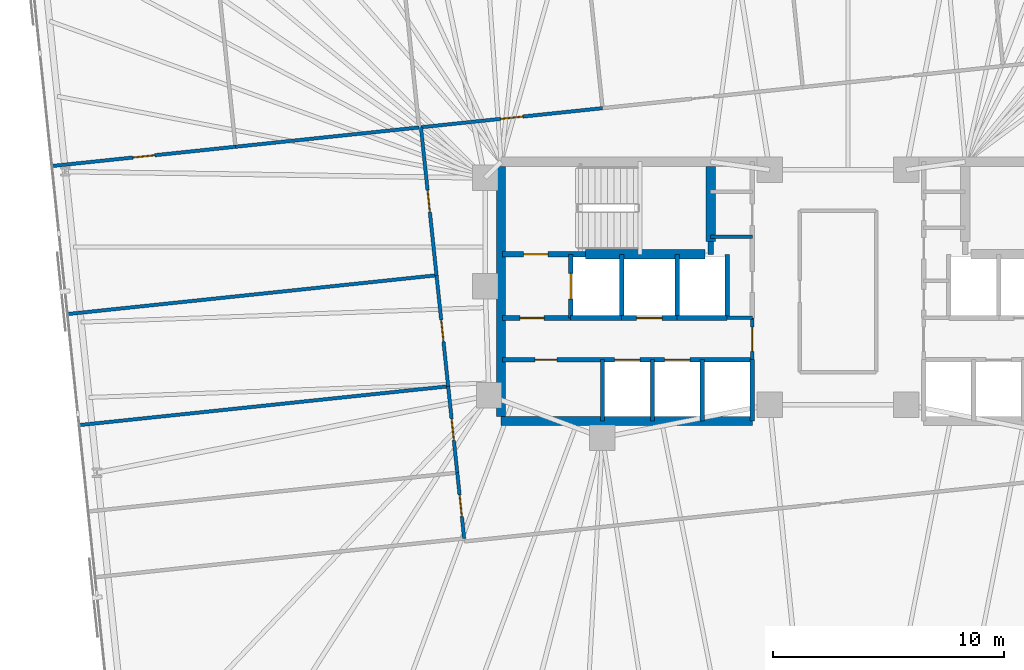
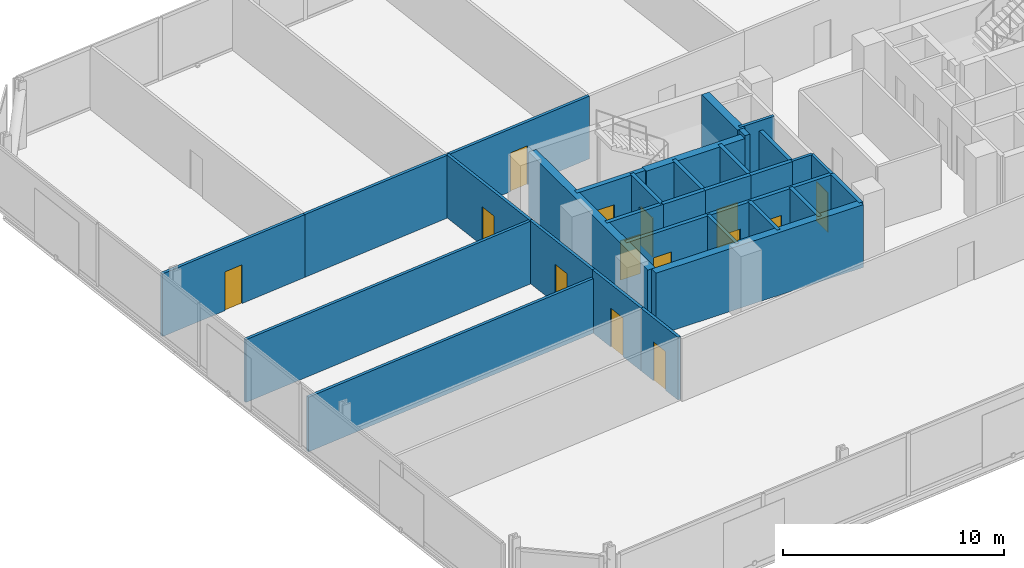
# One storey, part 14 of 18: 31 walls, 14 doors, 14 openings.
"""IFC4 building model written with IfcOpenShell, lengths in metres."""

from ifc_helpers import new_model, si_unit, direction, frame, frame_2d, origin, place, context, subcontext, project, spatial, rectangle, extrude, material, layer, layer_set, type_object, element, fill, save


model = new_model("IFC4")

# Units and contexts
model_context = context("Model", 3, precision=1e-05, world=origin(), true_north=direction((0.0, 1.0)))
body_context = subcontext(model_context, "Body", "Model", "MODEL_VIEW")
ifc_project = project(units=[si_unit("LENGTHUNIT", "METRE"), si_unit("AREAUNIT", "SQUARE_METRE"), si_unit("VOLUMEUNIT", "CUBIC_METRE"), si_unit("PLANEANGLEUNIT", "RADIAN"), si_unit("MASSUNIT", "GRAM", prefix="KILO")], contexts=[model_context])

# Site, building, storey
site_placement = place(None, origin())
site = spatial("IfcSite", under=ifc_project, at=site_placement, CompositionType="ELEMENT")
building_placement = place(site_placement, origin())
building = spatial("IfcBuilding", under=site, at=building_placement, Name="Menara Jurai Vektor", CompositionType="ELEMENT")
storey_placement = place(building_placement, frame((0.0, 0.0, 128.10009765625)))
storey = spatial("IfcBuildingStorey", under=building, at=storey_placement, Name="L32", CompositionType="ELEMENT", Elevation=128.10009765625)

# Wall, opening, door
ifc_material_1 = material(Name="Concrete C40/50", Category="concrete")
ifc_layer_1 = layer(ifc_material_1, 0.25)
ifc_layer_set_1 = layer_set([ifc_layer_1], Name="Concrete C40/50")
wall_type_1 = type_object("IfcWallType", Name="INT-WALL-CORE-250", PredefinedType="STANDARD", material=ifc_layer_set_1)
wall_1_placement = place(storey_placement, frame((-14.5, 1.60009765625, 0.0), z_axis=(0.0, 0.0, 1.0), x_axis=(1.0, 0.0, 0.0)))
wall_1 = element("IfcWall", 1, at=wall_1_placement, inside=storey, type_object=wall_type_1, Name="Interior Wall IW-250 L32", PredefinedType="STANDARD", context=body_context, shape_type="SweptSolid", body=[
    extrude(rectangle(XDim=3.60009765625, YDim=0.25, at=frame_2d((1.800048828125, 0.0))), origin(), (0.0, 0.0, 1.0), 3.474853515625),
])
opening_1_placement = place(wall_1_placement, frame((0.919921875, 0.0, 0.0)))
opening_1 = element("IfcOpeningElement", 2, at=opening_1_placement, cuts=wall_1, Name="Opening D-L32-ST1", PredefinedType="OPENING", context=body_context, shape_type="SweptSolid", body=[
    extrude(rectangle(XDim=1.050048828125, YDim=2.14990234375, at=frame_2d((0.52490234375, 1.074951171875))), frame((0.0, 0.135009765625, 0.0), z_axis=(0.0, -1.0, 0.0), x_axis=(1.0, 0.0, 0.0)), (0.0, 0.0, 1.0), 0.27001953125),
])
ifc_material_2 = material(Name="Fire-Rated Steel Door", Category="steel")
door_type_1 = type_object("IfcDoorType", Name="DR-STAIR-1050", OperationType="NOTDEFINED", PredefinedType="DOOR", material=ifc_material_2)
door_1_placement = place(opening_1_placement, origin())
door_1 = element("IfcDoor", 3, at=door_1_placement, inside=storey, type_object=door_type_1, Name="Exit Stair ST1 Door L32", OperationType="SINGLE_SWING_RIGHT", OverallHeight=2.14990234375, OverallWidth=1.050048828125, PredefinedType="DOOR", context=body_context, shape_type="SweptSolid", body=[
    extrude(rectangle(XDim=1.050048828125, YDim=2.14990234375, at=frame_2d((0.52490234375, 1.074951171875))), frame((0.0, 0.02490234375, 0.0), z_axis=(0.0, -1.0, 0.0), x_axis=(1.0, 0.0, 0.0)), (0.0, 0.0, 1.0), 0.050048828125),
])
fill(opening_1, door_1)

# Wall
wall_2_placement = place(storey_placement, frame((-5.5, 1.60009765625, 0.0), z_axis=(0.0, 0.0, 1.0), x_axis=(0.0, 1.0, 0.0)))
element("IfcWall", 4, at=wall_2_placement, inside=storey, type_object=wall_type_1, Name="Interior Wall IW-250 L32", PredefinedType="STANDARD", context=body_context, shape_type="SweptSolid", body=[
    extrude(rectangle(XDim=0.5498046875, YDim=0.25, at=frame_2d((0.27490234375, 0.0))), origin(), (0.0, 0.0, 1.0), 3.474853515625),
])

# Wall, opening, door
wall_3_placement = place(storey_placement, frame((-11.550048828125, -1.14990234375, 0.0), z_axis=(0.0, 0.0, 1.0), x_axis=(0.0, 1.0, 0.0)))
wall_3 = element("IfcWall", 5, at=wall_3_placement, inside=storey, type_object=wall_type_1, Name="Interior Wall IW-250 L32", PredefinedType="STANDARD", context=body_context, shape_type="SweptSolid", body=[
    extrude(rectangle(XDim=2.75, YDim=0.199951171875, at=frame_2d((1.375, 0.0))), origin(), (0.0, 0.0, 1.0), 3.474853515625),
])
opening_2_placement = place(wall_3_placement, frame((0.824951171875, 0.0, 0.0)))
opening_2 = element("IfcOpeningElement", 6, at=opening_2_placement, cuts=wall_3, Name="Opening LD-L32-FL1", PredefinedType="OPENING", context=body_context, shape_type="SweptSolid", body=[
    extrude(rectangle(XDim=1.10009765625, YDim=2.14990234375, at=frame_2d((0.550048828125, 1.074951171875))), frame((0.0, 0.10986328125, 0.0), z_axis=(0.0, -1.0, 0.0), x_axis=(1.0, 0.0, 0.0)), (0.0, 0.0, 1.0), 0.219970703125),
])
ifc_material_3 = material(Name="Stainless Steel Sliding Lift Landing Door", Category="steel")
door_type_2 = type_object("IfcDoorType", Name="DR-LIFT-FIRE-1100", OperationType="NOTDEFINED", PredefinedType="DOOR", material=ifc_material_3)
door_2_placement = place(opening_2_placement, origin())
door_2 = element("IfcDoor", 7, at=door_2_placement, inside=storey, type_object=door_type_2, Name="Lift Landing Door FL1 L32", OperationType="SLIDING_TO_RIGHT", OverallHeight=2.14990234375, OverallWidth=1.10009765625, PredefinedType="DOOR", context=body_context, shape_type="SweptSolid", body=[
    extrude(rectangle(XDim=1.10009765625, YDim=2.14990234375, at=frame_2d((0.550048828125, 1.074951171875))), frame((0.0, 0.02490234375, 0.0), z_axis=(0.0, -1.0, 0.0), x_axis=(1.0, 0.0, 0.0)), (0.0, 0.0, 1.0), 0.050048828125),
])
fill(opening_2, door_2)

# Wall
wall_4_placement = place(storey_placement, frame((-9.35009765625, -1.14990234375, 0.0), z_axis=(0.0, 0.0, 1.0), x_axis=(0.0, 1.0, 0.0)))
element("IfcWall", 8, at=wall_4_placement, inside=storey, type_object=wall_type_1, Name="Interior Wall IW-250 L32", PredefinedType="STANDARD", context=body_context, shape_type="SweptSolid", body=[
    extrude(rectangle(XDim=2.75, YDim=0.199951171875, at=frame_2d((1.375, 0.0))), origin(), (0.0, 0.0, 1.0), 3.474853515625),
])

# Wall, opening, door
wall_5_placement = place(storey_placement, frame((-14.5, -1.14990234375, 0.0), z_axis=(0.0, 0.0, 1.0), x_axis=(1.0, 0.0, 0.0)))
wall_5 = element("IfcWall", 9, at=wall_5_placement, inside=storey, type_object=wall_type_1, Name="Interior Wall IW-250 L32", PredefinedType="STANDARD", context=body_context, shape_type="SweptSolid", body=[
    extrude(rectangle(XDim=2.949951171875, YDim=0.199951171875, at=frame_2d((1.47509765625, 0.0))), origin(), (0.0, 0.0, 1.0), 3.474853515625),
])
opening_3_placement = place(wall_5_placement, frame((0.75, 0.0, 0.0)))
opening_3 = element("IfcOpeningElement", 10, at=opening_3_placement, cuts=wall_5, Name="Opening D-L32-FFW", PredefinedType="OPENING", context=body_context, shape_type="SweptSolid", body=[
    extrude(rectangle(XDim=1.050048828125, YDim=2.179931640625, at=frame_2d((0.52490234375, 1.08984375))), frame((0.0, 0.10986328125, 0.0), z_axis=(0.0, -1.0, 0.0), x_axis=(1.0, 0.0, 0.0)), (0.0, 0.0, 1.0), 0.219970703125),
])
ifc_material_4 = material(Name="Fire-Rated Timber Door", Category="wood")
door_type_3 = type_object("IfcDoorType", Name="DR-LOBBY-1050", OperationType="NOTDEFINED", PredefinedType="DOOR", material=ifc_material_4)
door_3_placement = place(opening_3_placement, origin())
door_3 = element("IfcDoor", 11, at=door_3_placement, inside=storey, type_object=door_type_3, Name="Fire Lift Lobby Door W L32", OperationType="SINGLE_SWING_RIGHT", OverallHeight=2.179931640625, OverallWidth=1.050048828125, PredefinedType="DOOR", context=body_context, shape_type="SweptSolid", body=[
    extrude(rectangle(XDim=1.050048828125, YDim=2.179931640625, at=frame_2d((0.52490234375, 1.08984375))), frame((0.0, 0.02490234375, 0.0), z_axis=(0.0, -1.0, 0.0), x_axis=(1.0, 0.0, 0.0)), (0.0, 0.0, 1.0), 0.050048828125),
])
fill(opening_3, door_3)

# Wall
wall_6_placement = place(storey_placement, frame((-11.550048828125, -1.14990234375, 0.0), z_axis=(0.0, 0.0, 1.0), x_axis=(1.0, 0.0, 0.0)))
element("IfcWall", 12, at=wall_6_placement, inside=storey, type_object=wall_type_1, Name="Interior Wall IW-250 L32", PredefinedType="STANDARD", context=body_context, shape_type="SweptSolid", body=[
    extrude(rectangle(XDim=2.199951171875, YDim=0.199951171875, at=frame_2d((1.10009765625, 0.0))), origin(), (0.0, 0.0, 1.0), 3.474853515625),
])

# Wall, opening, door
ifc_material_5 = material(Name="Gypsum Fireboard Partition", Category="gypsum")
ifc_layer_2 = layer(ifc_material_5, 0.14990234375)
ifc_layer_set_2 = layer_set([ifc_layer_2], Name="Gypsum Fireboard Partition")
wall_type_2 = type_object("IfcWallType", Name="INT-WALL-CORR-150", PredefinedType="PARTITIONING", material=ifc_layer_set_2)
wall_7_placement = place(storey_placement, frame((-3.699951171875, -2.949951171875, 0.0), z_axis=(0.0, 0.0, 1.0), x_axis=(0.0, 1.0, 0.0)))
wall_7 = element("IfcWall", 13, at=wall_7_placement, inside=storey, type_object=wall_type_2, Name="Interior Wall IW-150 L32", PredefinedType="PARTITIONING", context=body_context, shape_type="SweptSolid", body=[
    extrude(rectangle(XDim=1.800048828125, YDim=0.14990234375, at=frame_2d((0.89990234375, 0.0))), origin(), (0.0, 0.0, 1.0), 3.474853515625),
])
opening_4_placement = place(wall_7_placement, frame((0.35009765625, 0.0, 0.0)))
opening_4 = element("IfcOpeningElement", 14, at=opening_4_placement, cuts=wall_7, Name="Opening D-L32-LLW", PredefinedType="OPENING", context=body_context, shape_type="SweptSolid", body=[
    extrude(rectangle(XDim=1.050048828125, YDim=2.179931640625, at=frame_2d((0.52490234375, 1.08984375))), frame((0.0, 0.0849609375, 0.0), z_axis=(0.0, -1.0, 0.0), x_axis=(1.0, 0.0, 0.0)), (0.0, 0.0, 1.0), 0.169921875),
])
door_4_placement = place(opening_4_placement, origin())
door_4 = element("IfcDoor", 15, at=door_4_placement, inside=storey, type_object=door_type_3, Name="Lift Lobby Corridor Door W L32", OperationType="SINGLE_SWING_LEFT", OverallHeight=2.179931640625, OverallWidth=1.050048828125, PredefinedType="DOOR", context=body_context, shape_type="SweptSolid", body=[
    extrude(rectangle(XDim=1.050048828125, YDim=2.179931640625, at=frame_2d((0.52490234375, 1.08984375))), frame((0.0, 0.02490234375, 0.0), z_axis=(0.0, -1.0, 0.0), x_axis=(1.0, 0.0, 0.0)), (0.0, 0.0, 1.0), 0.050048828125),
])
fill(opening_4, door_4)

# Walls
wall_8_placement = place(storey_placement, frame((-4.7900390625, -1.14990234375, 0.0), z_axis=(0.0, 0.0, 1.0), x_axis=(1.0, 0.0, 0.0)))
element("IfcWall", 16, at=wall_8_placement, inside=storey, type_object=wall_type_2, Name="Interior Wall IW-150 L32", PredefinedType="PARTITIONING", context=body_context, shape_type="SweptSolid", body=[
    extrude(rectangle(XDim=1.090087890625, YDim=0.14990234375, at=frame_2d((0.544921875, 0.0))), origin(), (0.0, 0.0, 1.0), 3.474853515625),
])
wall_9_placement = place(storey_placement, frame((-5.5, 2.35009765625, 0.0), z_axis=(0.0, 0.0, 1.0), x_axis=(1.0, 0.0, 0.0)))
element("IfcWall", 17, at=wall_9_placement, inside=storey, type_object=wall_type_2, Name="Interior Wall IW-150 L32", PredefinedType="PARTITIONING", context=body_context, shape_type="SweptSolid", body=[
    extrude(rectangle(XDim=1.800048828125, YDim=0.14990234375, at=frame_2d((0.89990234375, 0.0))), origin(), (0.0, 0.0, 1.0), 3.474853515625),
])

# Wall, opening, door
wall_10_placement = place(storey_placement, frame((-18.021240234375, 7.09033203125, 0.0), z_axis=(0.0, 0.0, 1.0), x_axis=(0.994521544681, 0.104531799785, 0.0)))
wall_10 = element("IfcWall", 18, at=wall_10_placement, inside=storey, type_object=wall_type_2, Name="Interior Wall IW-150 L32", PredefinedType="PARTITIONING", context=body_context, shape_type="SweptSolid", body=[
    extrude(rectangle(XDim=7.891845703125, YDim=0.14990234375, at=frame_2d((3.94580078125, 0.0))), origin(), (0.0, 0.0, 1.0), 3.474853515625),
])
opening_5_placement = place(wall_10_placement, frame((3.470947265625, 0.0, 0.0)))
opening_5 = element("IfcOpeningElement", 19, at=opening_5_placement, cuts=wall_10, Name="Opening D32-09", PredefinedType="OPENING", context=body_context, shape_type="SweptSolid", body=[
    extrude(rectangle(XDim=0.949951171875, YDim=2.14990234375, at=frame_2d((0.47509765625, 1.074951171875))), frame((0.0, 0.0849609375, 0.0), z_axis=(0.0, -1.0, 0.0), x_axis=(1.0, 0.0, 0.0)), (0.0, 0.0, 1.0), 0.169921875),
])
ifc_material_6 = material(Name="Solid Core Timber Fire Door", Category="wood")
door_type_4 = type_object("IfcDoorType", Name="DR-ENTRY-950", OperationType="NOTDEFINED", PredefinedType="DOOR", material=ifc_material_6)
door_5_placement = place(opening_5_placement, origin())
door_5 = element("IfcDoor", 20, at=door_5_placement, inside=storey, type_object=door_type_4, Name="Interior Door D32-09", OperationType="SINGLE_SWING_RIGHT", OverallHeight=2.14990234375, OverallWidth=0.949951171875, PredefinedType="DOOR", context=body_context, shape_type="SweptSolid", body=[
    extrude(rectangle(XDim=0.949951171875, YDim=2.14990234375, at=frame_2d((0.47509765625, 1.074951171875))), frame((0.0, 0.02490234375, 0.0), z_axis=(0.0, -1.0, 0.0), x_axis=(1.0, 0.0, 0.0)), (0.0, 0.0, 1.0), 0.050048828125),
])
fill(opening_5, door_5)

wall_11_placement = place(storey_placement, frame((-16.1533203125, -10.681884765625, 0.0), z_axis=(0.0, 0.0, 1.0), x_axis=(-0.104600331874, 0.994514339048, 0.0)))
wall_11 = element("IfcWall", 21, at=wall_11_placement, inside=storey, type_object=wall_type_2, Name="Interior Wall IW-150 L32", PredefinedType="PARTITIONING", context=body_context, shape_type="SweptSolid", body=[
    extrude(rectangle(XDim=2.859130859375, YDim=0.14990234375, at=frame_2d((1.4296875, 0.0))), origin(), (0.0, 0.0, 1.0), 3.474853515625),
])
opening_6_placement = place(wall_11_placement, frame((0.95458984375, 0.0, 0.0)))
opening_6 = element("IfcOpeningElement", 22, at=opening_6_placement, cuts=wall_11, Name="Opening D32-15", PredefinedType="OPENING", context=body_context, shape_type="SweptSolid", body=[
    extrude(rectangle(XDim=0.949951171875, YDim=2.14990234375, at=frame_2d((0.47509765625, 1.074951171875))), frame((0.0, 0.0849609375, 0.0), z_axis=(0.0, -1.0, 0.0), x_axis=(1.0, 0.0, 0.0)), (0.0, 0.0, 1.0), 0.169921875),
])
door_6_placement = place(opening_6_placement, origin())
door_6 = element("IfcDoor", 23, at=door_6_placement, inside=storey, type_object=door_type_4, Name="Interior Door D32-15", OperationType="SINGLE_SWING_RIGHT", OverallHeight=2.14990234375, OverallWidth=0.949951171875, PredefinedType="DOOR", context=body_context, shape_type="SweptSolid", body=[
    extrude(rectangle(XDim=0.949951171875, YDim=2.14990234375, at=frame_2d((0.47509765625, 1.074951171875))), frame((0.0, 0.02490234375, 0.0), z_axis=(0.0, -1.0, 0.0), x_axis=(1.0, 0.0, 0.0)), (0.0, 0.0, 1.0), 0.050048828125),
])
fill(opening_6, door_6)

wall_12_placement = place(storey_placement, frame((-16.452392578125, -7.83837890625, 0.0), z_axis=(0.0, 0.0, 1.0), x_axis=(-0.104481590513, 0.994526820777, 0.0)))
wall_12 = element("IfcWall", 24, at=wall_12_placement, inside=storey, type_object=wall_type_2, Name="Interior Wall IW-150 L32", PredefinedType="PARTITIONING", context=body_context, shape_type="SweptSolid", body=[
    extrude(rectangle(XDim=3.752685546875, YDim=0.14990234375, at=frame_2d((1.87646484375, 0.0))), origin(), (0.0, 0.0, 1.0), 3.474853515625),
])
opening_7_placement = place(wall_12_placement, frame((1.401611328125, 0.0, 0.0)))
opening_7 = element("IfcOpeningElement", 25, at=opening_7_placement, cuts=wall_12, Name="Opening D32-16", PredefinedType="OPENING", context=body_context, shape_type="SweptSolid", body=[
    extrude(rectangle(XDim=0.949951171875, YDim=2.14990234375, at=frame_2d((0.47509765625, 1.074951171875))), frame((0.0, 0.0849609375, 0.0), z_axis=(0.0, -1.0, 0.0), x_axis=(1.0, 0.0, 0.0)), (0.0, 0.0, 1.0), 0.169921875),
])
door_7_placement = place(opening_7_placement, origin())
door_7 = element("IfcDoor", 26, at=door_7_placement, inside=storey, type_object=door_type_4, Name="Interior Door D32-16", OperationType="SINGLE_SWING_LEFT", OverallHeight=2.14990234375, OverallWidth=0.949951171875, PredefinedType="DOOR", context=body_context, shape_type="SweptSolid", body=[
    extrude(rectangle(XDim=0.949951171875, YDim=2.14990234375, at=frame_2d((0.47509765625, 1.074951171875))), frame((0.0, 0.02490234375, 0.0), z_axis=(0.0, -1.0, 0.0), x_axis=(1.0, 0.0, 0.0)), (0.0, 0.0, 1.0), 0.050048828125),
])
fill(opening_7, door_7)

wall_13_placement = place(storey_placement, frame((-16.844482421875, -4.106201171875, 0.0), z_axis=(0.0, 0.0, 1.0), x_axis=(-0.104537284168, 0.994520968215, 0.0)))
wall_13 = element("IfcWall", 27, at=wall_13_placement, inside=storey, type_object=wall_type_2, Name="Interior Wall IW-150 L32", PredefinedType="PARTITIONING", context=body_context, shape_type="SweptSolid", body=[
    extrude(rectangle(XDim=4.824951171875, YDim=0.14990234375, at=frame_2d((2.41259765625, 0.0))), origin(), (0.0, 0.0, 1.0), 3.474853515625),
])
opening_8_placement = place(wall_13_placement, frame((1.9375, 0.0, 0.0)))
opening_8 = element("IfcOpeningElement", 28, at=opening_8_placement, cuts=wall_13, Name="Opening D32-17", PredefinedType="OPENING", context=body_context, shape_type="SweptSolid", body=[
    extrude(rectangle(XDim=0.949951171875, YDim=2.14990234375, at=frame_2d((0.47509765625, 1.074951171875))), frame((0.0, 0.0849609375, 0.0), z_axis=(0.0, -1.0, 0.0), x_axis=(1.0, 0.0, 0.0)), (0.0, 0.0, 1.0), 0.169921875),
])
door_8_placement = place(opening_8_placement, origin())
door_8 = element("IfcDoor", 29, at=door_8_placement, inside=storey, type_object=door_type_4, Name="Interior Door D32-17", OperationType="SINGLE_SWING_RIGHT", OverallHeight=2.14990234375, OverallWidth=0.949951171875, PredefinedType="DOOR", context=body_context, shape_type="SweptSolid", body=[
    extrude(rectangle(XDim=0.949951171875, YDim=2.14990234375, at=frame_2d((0.47509765625, 1.074951171875))), frame((0.0, 0.02490234375, 0.0), z_axis=(0.0, -1.0, 0.0), x_axis=(1.0, 0.0, 0.0)), (0.0, 0.0, 1.0), 0.050048828125),
])
fill(opening_8, door_8)

wall_14_placement = place(storey_placement, frame((-17.348876953125, 0.6923828125, 0.0), z_axis=(0.0, 0.0, 1.0), x_axis=(-0.104514890797, 0.994523321799, 0.0)))
wall_14 = element("IfcWall", 30, at=wall_14_placement, inside=storey, type_object=wall_type_2, Name="Interior Wall IW-150 L32", PredefinedType="PARTITIONING", context=body_context, shape_type="SweptSolid", body=[
    extrude(rectangle(XDim=6.43310546875, YDim=0.14990234375, at=frame_2d((3.216552734375, 0.0))), origin(), (0.0, 0.0, 1.0), 3.474853515625),
])
opening_9_placement = place(wall_14_placement, frame((2.741455078125, 0.0, 0.0)))
opening_9 = element("IfcOpeningElement", 31, at=opening_9_placement, cuts=wall_14, Name="Opening D32-18", PredefinedType="OPENING", context=body_context, shape_type="SweptSolid", body=[
    extrude(rectangle(XDim=0.949951171875, YDim=2.14990234375, at=frame_2d((0.47509765625, 1.074951171875))), frame((0.0, 0.0849609375, 0.0), z_axis=(0.0, -1.0, 0.0), x_axis=(1.0, 0.0, 0.0)), (0.0, 0.0, 1.0), 0.169921875),
])
door_9_placement = place(opening_9_placement, origin())
door_9 = element("IfcDoor", 32, at=door_9_placement, inside=storey, type_object=door_type_4, Name="Interior Door D32-18", OperationType="SINGLE_SWING_LEFT", OverallHeight=2.14990234375, OverallWidth=0.949951171875, PredefinedType="DOOR", context=body_context, shape_type="SweptSolid", body=[
    extrude(rectangle(XDim=0.949951171875, YDim=2.14990234375, at=frame_2d((0.47509765625, 1.074951171875))), frame((0.0, 0.02490234375, 0.0), z_axis=(0.0, -1.0, 0.0), x_axis=(1.0, 0.0, 0.0)), (0.0, 0.0, 1.0), 0.050048828125),
])
fill(opening_9, door_9)

wall_15_placement = place(storey_placement, frame((-33.966552734375, 5.414306640625, 0.0), z_axis=(0.0, 0.0, 1.0), x_axis=(0.994520371826, 0.104542957792, 0.0)))
wall_15 = element("IfcWall", 33, at=wall_15_placement, inside=storey, type_object=wall_type_2, Name="Interior Wall IW-150 L32", PredefinedType="PARTITIONING", context=body_context, shape_type="SweptSolid", body=[
    extrude(rectangle(XDim=7.97509765625, YDim=0.14990234375, at=frame_2d((3.987548828125, 0.0))), origin(), (0.0, 0.0, 1.0), 3.474853515625),
])
opening_10_placement = place(wall_15_placement, frame((3.512451171875, 0.0, 0.0)))
opening_10 = element("IfcOpeningElement", 34, at=opening_10_placement, cuts=wall_15, Name="Opening D32-21", PredefinedType="OPENING", context=body_context, shape_type="SweptSolid", body=[
    extrude(rectangle(XDim=0.949951171875, YDim=2.14990234375, at=frame_2d((0.47509765625, 1.074951171875))), frame((0.0, 0.0849609375, 0.0), z_axis=(0.0, -1.0, 0.0), x_axis=(1.0, 0.0, 0.0)), (0.0, 0.0, 1.0), 0.169921875),
])
door_10_placement = place(opening_10_placement, origin())
door_10 = element("IfcDoor", 35, at=door_10_placement, inside=storey, type_object=door_type_4, Name="Interior Door D32-21", OperationType="SINGLE_SWING_RIGHT", OverallHeight=2.14990234375, OverallWidth=0.949951171875, PredefinedType="DOOR", context=body_context, shape_type="SweptSolid", body=[
    extrude(rectangle(XDim=0.949951171875, YDim=2.14990234375, at=frame_2d((0.47509765625, 1.074951171875))), frame((0.0, 0.02490234375, 0.0), z_axis=(0.0, -1.0, 0.0), x_axis=(1.0, 0.0, 0.0)), (0.0, 0.0, 1.0), 0.050048828125),
])
fill(opening_10, door_10)

# Walls
wall_16_placement = place(storey_placement, frame((-26.03515625, 6.248046875, 0.0), z_axis=(0.0, 0.0, 1.0), x_axis=(0.994523219801, 0.104515861368, 0.0)))
element("IfcWall", 36, at=wall_16_placement, inside=storey, type_object=wall_type_2, Name="Interior Wall IW-150 L32", PredefinedType="PARTITIONING", context=body_context, shape_type="SweptSolid", body=[
    extrude(rectangle(XDim=7.974853515625, YDim=0.14990234375, at=frame_2d((3.9873046875, 0.0))), origin(), (0.0, 0.0, 1.0), 3.474853515625),
])
wall_17_placement = place(storey_placement, frame((-33.294189453125, -0.9833984375, 0.0), z_axis=(0.0, 0.0, 1.0), x_axis=(0.994522794159, 0.104519911488, 0.0)))
element("IfcWall", 37, at=wall_17_placement, inside=storey, type_object=wall_type_2, Name="Interior Wall IW-150 L32", PredefinedType="PARTITIONING", context=body_context, shape_type="SweptSolid", body=[
    extrude(rectangle(XDim=16.033203125, YDim=0.14990234375, at=frame_2d((8.0166015625, 0.0))), origin(), (0.0, 0.0, 1.0), 3.474853515625),
])
ifc_layer_3 = layer(ifc_material_5, 0.14990234375)
ifc_layer_set_3 = layer_set([ifc_layer_3], Name="Gypsum Fireboard Partition")
wall_type_3 = type_object("IfcWallType", Name="INT-WALL-CORR-150-H1", PredefinedType="PARTITIONING", material=ifc_layer_set_3)
wall_18_placement = place(storey_placement, frame((-32.789794921875, -5.781982421875, 0.0), z_axis=(0.0, 0.0, 1.0), x_axis=(0.994522794159, 0.104519911488, 0.0)))
element("IfcWall", 38, at=wall_18_placement, inside=storey, type_object=wall_type_3, Name="Interior Wall IW-150 L32", PredefinedType="PARTITIONING", context=body_context, shape_type="SweptSolid", body=[
    extrude(rectangle(XDim=16.033203125, YDim=0.14990234375, at=frame_2d((8.0166015625, 0.0))), origin(), (0.0, 0.0, 1.0), 3.02490234375),
])
ifc_layer_4 = layer(ifc_material_1, 0.199951171875)
ifc_layer_set_4 = layer_set([ifc_layer_4], Name="Concrete C40/50")
wall_type_4 = type_object("IfcWallType", Name="INT-WALL-SHAFT-200", PredefinedType="STANDARD", material=ifc_layer_set_4)
wall_19_placement = place(storey_placement, frame((-3.699951171875, -5.60009765625, 0.0), z_axis=(0.0, 0.0, 1.0), x_axis=(0.0, 1.0, 0.0)))
element("IfcWall", 39, at=wall_19_placement, inside=storey, type_object=wall_type_4, Name="Interior Wall IW-200 L32", PredefinedType="STANDARD", context=body_context, shape_type="SweptSolid", body=[
    extrude(rectangle(XDim=2.650146484375, YDim=0.199951171875, at=frame_2d((1.3251953125, 0.0))), origin(), (0.0, 0.0, 1.0), 3.474853515625),
])
wall_20_placement = place(storey_placement, frame((-6.949951171875, -1.14990234375, 0.0), z_axis=(0.0, 0.0, 1.0), x_axis=(0.0, 1.0, 0.0)))
element("IfcWall", 40, at=wall_20_placement, inside=storey, type_object=wall_type_4, Name="Interior Wall IW-200 L32", PredefinedType="STANDARD", context=body_context, shape_type="SweptSolid", body=[
    extrude(rectangle(XDim=2.75, YDim=0.199951171875, at=frame_2d((1.375, 0.0))), origin(), (0.0, 0.0, 1.0), 3.474853515625),
])

# Wall, opening, door
wall_21_placement = place(storey_placement, frame((-9.35009765625, -1.14990234375, 0.0), z_axis=(0.0, 0.0, 1.0), x_axis=(1.0, 0.0, 0.0)))
wall_21 = element("IfcWall", 41, at=wall_21_placement, inside=storey, type_object=wall_type_4, Name="Interior Wall IW-200 L32", PredefinedType="STANDARD", context=body_context, shape_type="SweptSolid", body=[
    extrude(rectangle(XDim=2.400146484375, YDim=0.199951171875, at=frame_2d((1.2001953125, 0.0))), origin(), (0.0, 0.0, 1.0), 3.474853515625),
])
opening_11_placement = place(wall_21_placement, frame((0.64990234375, 0.0, 0.0)))
opening_11 = element("IfcOpeningElement", 42, at=opening_11_placement, cuts=wall_21, Name="Opening LD-L32-SVL1", PredefinedType="OPENING", context=body_context, shape_type="SweptSolid", body=[
    extrude(rectangle(XDim=1.10009765625, YDim=2.14990234375, at=frame_2d((0.550048828125, 1.074951171875))), frame((0.0, 0.10986328125, 0.0), z_axis=(0.0, -1.0, 0.0), x_axis=(1.0, 0.0, 0.0)), (0.0, 0.0, 1.0), 0.219970703125),
])
ifc_material_7 = material(Name="Anodised Stainless Sliding Lift Landing Door", Category="steel")
door_type_5 = type_object("IfcDoorType", Name="DR-LIFT-PASS-1100", OperationType="NOTDEFINED", PredefinedType="DOOR", material=ifc_material_7)
door_11_placement = place(opening_11_placement, origin())
door_11 = element("IfcDoor", 43, at=door_11_placement, inside=storey, type_object=door_type_5, Name="Lift Landing Door SVL1 L32", OperationType="SLIDING_TO_RIGHT", OverallHeight=2.14990234375, OverallWidth=1.10009765625, PredefinedType="DOOR", context=body_context, shape_type="SweptSolid", body=[
    extrude(rectangle(XDim=1.10009765625, YDim=2.14990234375, at=frame_2d((0.550048828125, 1.074951171875))), frame((0.0, 0.02490234375, 0.0), z_axis=(0.0, -1.0, 0.0), x_axis=(1.0, 0.0, 0.0)), (0.0, 0.0, 1.0), 0.050048828125),
])
fill(opening_11, door_11)

# Walls
wall_22_placement = place(storey_placement, frame((-4.7900390625, -1.14990234375, 0.0), z_axis=(0.0, 0.0, 1.0), x_axis=(0.0, 1.0, 0.0)))
element("IfcWall", 44, at=wall_22_placement, inside=storey, type_object=wall_type_4, Name="Interior Wall IW-200 L32", PredefinedType="STANDARD", context=body_context, shape_type="SweptSolid", body=[
    extrude(rectangle(XDim=2.75, YDim=0.199951171875, at=frame_2d((1.375, 0.0))), origin(), (0.0, 0.0, 1.0), 3.474853515625),
])
wall_23_placement = place(storey_placement, frame((-6.949951171875, -1.14990234375, 0.0), z_axis=(0.0, 0.0, 1.0), x_axis=(1.0, 0.0, 0.0)))
element("IfcWall", 45, at=wall_23_placement, inside=storey, type_object=wall_type_4, Name="Interior Wall IW-200 L32", PredefinedType="STANDARD", context=body_context, shape_type="SweptSolid", body=[
    extrude(rectangle(XDim=2.159912109375, YDim=0.199951171875, at=frame_2d((1.080078125, 0.0))), origin(), (0.0, 0.0, 1.0), 3.474853515625),
])

# Wall, openings, doors
wall_24_placement = place(storey_placement, frame((-14.5, -2.949951171875, 0.0), z_axis=(0.0, 0.0, 1.0), x_axis=(1.0, 0.0, 0.0)))
wall_24 = element("IfcWall", 46, at=wall_24_placement, inside=storey, type_object=wall_type_4, Name="Interior Wall IW-200 L32", PredefinedType="STANDARD", context=body_context, shape_type="SweptSolid", body=[
    extrude(rectangle(XDim=10.800048828125, YDim=0.199951171875, at=frame_2d((5.39990234375, 0.0))), origin(), (0.0, 0.0, 1.0), 3.474853515625),
])
opening_12_placement = place(wall_24_placement, frame((4.85009765625, 0.0, 0.0)))
opening_12 = element("IfcOpeningElement", 47, at=opening_12_placement, cuts=wall_24, Name="Opening LD-L32-PM1", PredefinedType="OPENING", context=body_context, shape_type="SweptSolid", body=[
    extrude(rectangle(XDim=1.10009765625, YDim=2.14990234375, at=frame_2d((0.550048828125, 1.074951171875))), frame((0.0, 0.10986328125, 0.0), z_axis=(0.0, -1.0, 0.0), x_axis=(1.0, 0.0, 0.0)), (0.0, 0.0, 1.0), 0.219970703125),
])
opening_13_placement = place(wall_24_placement, frame((7.010009765625, 0.0, 0.0)))
opening_13 = element("IfcOpeningElement", 48, at=opening_13_placement, cuts=wall_24, Name="Opening LD-L32-PM2", PredefinedType="OPENING", context=body_context, shape_type="SweptSolid", body=[
    extrude(rectangle(XDim=1.10009765625, YDim=2.14990234375, at=frame_2d((0.550048828125, 1.074951171875))), frame((0.0, 0.10986328125, 0.0), z_axis=(0.0, -1.0, 0.0), x_axis=(1.0, 0.0, 0.0)), (0.0, 0.0, 1.0), 0.219970703125),
])
opening_14_placement = place(wall_24_placement, frame((1.39990234375, 0.0, 0.0)))
opening_14 = element("IfcOpeningElement", 49, at=opening_14_placement, cuts=wall_24, Name="Opening D32-01", PredefinedType="OPENING", context=body_context, shape_type="SweptSolid", body=[
    extrude(rectangle(XDim=0.949951171875, YDim=2.14990234375, at=frame_2d((0.47509765625, 1.074951171875))), frame((0.0, 0.10986328125, 0.0), z_axis=(0.0, -1.0, 0.0), x_axis=(1.0, 0.0, 0.0)), (0.0, 0.0, 1.0), 0.219970703125),
])
door_12_placement = place(opening_14_placement, origin())
door_12 = element("IfcDoor", 50, at=door_12_placement, inside=storey, type_object=door_type_4, Name="Interior Door D32-01", OperationType="SINGLE_SWING_LEFT", OverallHeight=2.14990234375, OverallWidth=0.949951171875, PredefinedType="DOOR", context=body_context, shape_type="SweptSolid", body=[
    extrude(rectangle(XDim=0.949951171875, YDim=2.14990234375, at=frame_2d((0.47509765625, 1.074951171875))), frame((0.0, 0.02490234375, 0.0), z_axis=(0.0, -1.0, 0.0), x_axis=(1.0, 0.0, 0.0)), (0.0, 0.0, 1.0), 0.050048828125),
])
fill(opening_14, door_12)
door_13_placement = place(opening_12_placement, origin())
door_13 = element("IfcDoor", 51, at=door_13_placement, inside=storey, type_object=door_type_5, Name="Lift Landing Door PM1 L32", OperationType="SLIDING_TO_LEFT", OverallHeight=2.14990234375, OverallWidth=1.10009765625, PredefinedType="DOOR", context=body_context, shape_type="SweptSolid", body=[
    extrude(rectangle(XDim=1.10009765625, YDim=2.14990234375, at=frame_2d((0.550048828125, 1.074951171875))), frame((0.0, 0.02490234375, 0.0), z_axis=(0.0, -1.0, 0.0), x_axis=(1.0, 0.0, 0.0)), (0.0, 0.0, 1.0), 0.050048828125),
])
fill(opening_12, door_13)
door_14_placement = place(opening_13_placement, origin())
door_14 = element("IfcDoor", 52, at=door_14_placement, inside=storey, type_object=door_type_5, Name="Lift Landing Door PM2 L32", OperationType="SLIDING_TO_LEFT", OverallHeight=2.14990234375, OverallWidth=1.10009765625, PredefinedType="DOOR", context=body_context, shape_type="SweptSolid", body=[
    extrude(rectangle(XDim=1.10009765625, YDim=2.14990234375, at=frame_2d((0.550048828125, 1.074951171875))), frame((0.0, 0.02490234375, 0.0), z_axis=(0.0, -1.0, 0.0), x_axis=(1.0, 0.0, 0.0)), (0.0, 0.0, 1.0), 0.050048828125),
])
fill(opening_13, door_14)

# Walls
wall_25_placement = place(storey_placement, frame((-5.860107421875, -5.60009765625, 0.0), z_axis=(0.0, 0.0, 1.0), x_axis=(0.0, 1.0, 0.0)))
element("IfcWall", 53, at=wall_25_placement, inside=storey, type_object=wall_type_4, Name="Interior Wall IW-200 L32", PredefinedType="STANDARD", context=body_context, shape_type="SweptSolid", body=[
    extrude(rectangle(XDim=2.650146484375, YDim=0.199951171875, at=frame_2d((1.3251953125, 0.0))), origin(), (0.0, 0.0, 1.0), 3.474853515625),
])
for number, where, z_axis, x_axis, name in (
    (54, (-10.179931640625, -5.60009765625, 0.0), (0.0, 0.0, 1.0), (0.0, 1.0, 0.0), "Interior Wall IW-200 L32"),
    (55, (-8.02001953125, -5.60009765625, 0.0), (0.0, 0.0, 1.0), (0.0, 1.0, 0.0), "Interior Wall IW-200 L32"),
):
    element("IfcWall", number, at=place(storey_placement, frame(where, z_axis=z_axis, x_axis=x_axis)), inside=storey, type_object=wall_type_4, Name=name, PredefinedType="STANDARD", context=body_context, shape_type="SweptSolid", body=[
        extrude(rectangle(XDim=2.650146484375, YDim=0.179931640625, at=frame_2d((1.3251953125, 0.0))), origin(), (0.0, 0.0, 1.0), 3.474853515625),
    ])
ifc_material_8 = material(Name="Concrete C50/60", Category="concrete")
ifc_layer_5 = layer(ifc_material_8, 0.39990234375)
ifc_layer_set_5 = layer_set([ifc_layer_5], Name="Concrete C50/60")
wall_type_5 = type_object("IfcWallType", Name="STR-WALL-CORE400", PredefinedType="SHEAR", material=ifc_layer_set_5)
wall_26_placement = place(storey_placement, frame((-14.56005859375, -5.60009765625, 0.0), z_axis=(0.0, 0.0, 1.0), x_axis=(1.0, 0.0, 0.0)))
element("IfcWall", 56, at=wall_26_placement, inside=storey, type_object=wall_type_5, Name="Core Shear Wall CW-W-S L32", PredefinedType="SHEAR", context=body_context, shape_type="SweptSolid", body=[
    extrude(rectangle(XDim=10.860107421875, YDim=0.39990234375, at=frame_2d((5.43017578125, 0.0))), origin(), (0.0, 0.0, 1.0), 3.474853515625),
])
wall_27_placement = place(storey_placement, frame((-14.56005859375, -5.39990234375, 0.0), z_axis=(0.0, 0.0, 1.0), x_axis=(0.0, 1.0, 0.0)))
element("IfcWall", 57, at=wall_27_placement, inside=storey, type_object=wall_type_5, Name="Core Shear Wall CW-W-W L32", PredefinedType="SHEAR", context=body_context, shape_type="SweptSolid", body=[
    extrude(rectangle(XDim=10.7998046875, YDim=0.39990234375, at=frame_2d((5.39990234375, 0.0))), origin(), (0.0, 0.0, 1.0), 3.474853515625),
])
wall_28_placement = place(storey_placement, frame((-5.5, 2.14990234375, 0.0), z_axis=(0.0, 0.0, 1.0), x_axis=(0.0, 1.0, 0.0)))
element("IfcWall", 58, at=wall_28_placement, inside=storey, type_object=wall_type_5, Name="Core Shear Wall CW-W-ST L32", PredefinedType="SHEAR", context=body_context, shape_type="SweptSolid", body=[
    extrude(rectangle(XDim=3.25, YDim=0.39990234375, at=frame_2d((1.625, 0.0))), origin(), (0.0, 0.0, 1.0), 3.474853515625),
])
wall_29_placement = place(storey_placement, frame((-10.89990234375, 1.60009765625, 0.0), z_axis=(0.0, 0.0, 1.0), x_axis=(1.0, 0.0, 0.0)))
element("IfcWall", 59, at=wall_29_placement, inside=storey, type_object=wall_type_5, Name="Core Shear Wall CW-W-STS L32", PredefinedType="SHEAR", context=body_context, shape_type="SweptSolid", body=[
    extrude(rectangle(XDim=5.14990234375, YDim=0.39990234375, at=frame_2d((2.574951171875, 0.0))), origin(), (0.0, 0.0, 1.0), 3.474853515625),
])

save(model, "model.ifc")
